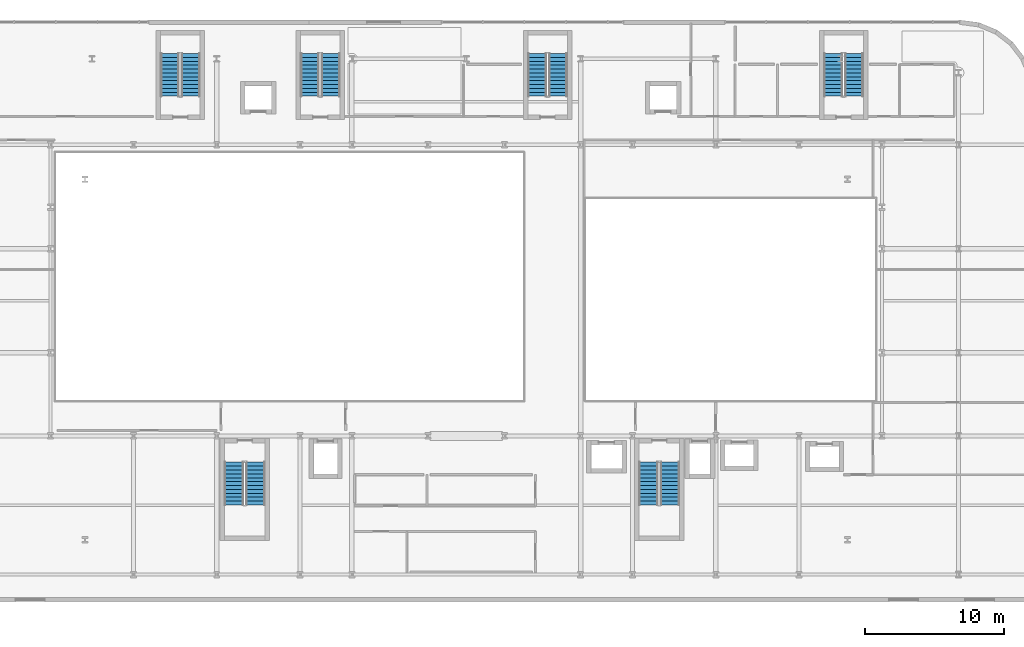
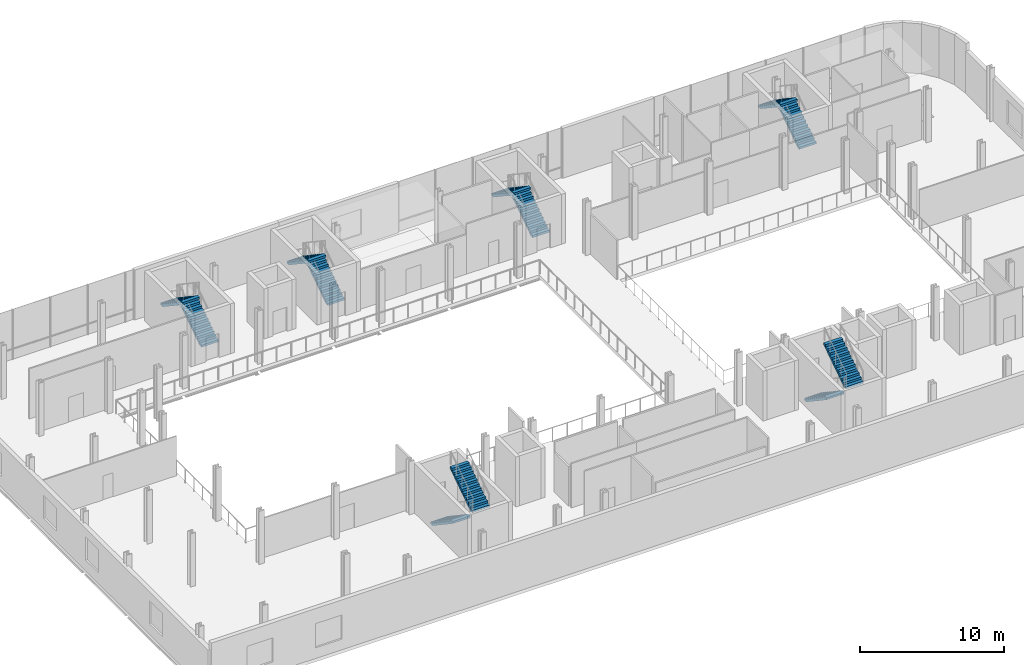
# One storey, part 20 of 25: 12 stair flights, 6 elements without a shape of their own.
"""IFC4 building model written with IfcOpenShell, lengths in metres."""

from ifc_helpers import new_model, si_unit, direction, frame, origin, place, context, subcontext, project, spatial, polyline, outline, extrude, material, layer, layer_set, type_object, element, aggregate, save


model = new_model("IFC4")

# Units and contexts
model_context = context("Model", 3, precision=1e-05, world=origin(), true_north=direction((0.0, 1.0)))
body_context = subcontext(model_context, "Body", "Model", "MODEL_VIEW")
ifc_project = project(units=[si_unit("LENGTHUNIT", "METRE"), si_unit("AREAUNIT", "SQUARE_METRE"), si_unit("VOLUMEUNIT", "CUBIC_METRE"), si_unit("PLANEANGLEUNIT", "RADIAN"), si_unit("MASSUNIT", "GRAM", prefix="KILO")], contexts=[model_context])

# Site, building, storey
site_placement = place(None, origin())
site = spatial("IfcSite", under=ifc_project, at=site_placement, CompositionType="ELEMENT")
building_placement = place(site_placement, origin())
building = spatial("IfcBuilding", under=site, at=building_placement, Name="Brevholm Reach", CompositionType="ELEMENT")
storey_placement = place(building_placement, frame((0.0, 0.0, 9.0)))
storey = spatial("IfcBuildingStorey", under=building, at=storey_placement, Name="L02", CompositionType="ELEMENT", Elevation=9.0)

# Stair, stair flights
ifc_material_1 = material(Name="Precast Concrete C40/50", Category="concrete")
stair_type_1 = type_object("IfcStairType", Name="STR-ESC-1250", PredefinedType="DOUBLE_RETURN_STAIR", material=ifc_material_1)
stair_1_placement = place(storey_placement, origin())
stair_1 = element("IfcStair", 1, at=stair_1_placement, inside=storey, type_object=stair_type_1, Name="L02 ST-S1", PredefinedType="DOUBLE_RETURN_STAIR")
ifc_material_2 = material(Name="Precast Concrete C40/50", Category="concrete")
ifc_layer_1 = layer(ifc_material_2, 0.1650390625)
ifc_layer_set_1 = layer_set([ifc_layer_1], Name="Precast Concrete C40/50")
stair_flight_type_1 = type_object("IfcStairFlightType", Name="STF-PRC-165", PredefinedType="STRAIGHT", material=ifc_layer_set_1)
stair_flight_1_placement = place(storey_placement, frame((10.125, 34.5, 0.0), z_axis=(0.0, 0.0, 1.0), x_axis=(0.0, 1.0, 0.0)))
stair_flight_1 = element("IfcStairFlight", 2, at=stair_flight_1_placement, type_object=stair_flight_type_1, Name="ST-S1 flight 1", NumberOfRisers=12, NumberOfTreads=11, PredefinedType="STRAIGHT", RiserHeight=0.1875, TreadLength=0.28, context=body_context, shape_type="SweptSolid", body=[
    extrude(outline(polyline([(0.0, 0.0), (0.0, 0.1875), (0.280029296875, 0.1875), (0.280029296875, 0.375), (0.56005859375, 0.375), (0.56005859375, 0.5625), (0.840087890625, 0.5625), (0.840087890625, 0.75), (1.1201171875, 0.75), (1.1201171875, 0.9375), (1.39990234375, 0.9375), (1.39990234375, 1.125), (1.679931640625, 1.125), (1.679931640625, 1.3125), (1.9599609375, 1.3125), (1.9599609375, 1.5), (2.239990234375, 1.5), (2.239990234375, 1.6875), (2.52001953125, 1.6875), (2.52001953125, 1.875), (2.800048828125, 1.875), (2.800048828125, 2.0625), (3.080078125, 2.0625), (3.080078125, 2.25), (3.080078125, 1.882080078125), (0.26953125, 0.0), (0.0, 0.0)])), frame((0.0, 0.675048828125, 0.0), z_axis=(0.0, -1.0, 0.0), x_axis=(1.0, 0.0, 0.0)), (0.0, 0.0, 1.0), 1.35009765625),
])
stair_flight_2_placement = place(storey_placement, frame((8.625, 37.580078125, 2.25), z_axis=(0.0, 0.0, 1.0), x_axis=(0.0, -1.0, 0.0)))
stair_flight_2 = element("IfcStairFlight", 3, at=stair_flight_2_placement, type_object=stair_flight_type_1, Name="ST-S1 flight 2", NumberOfRisers=12, NumberOfTreads=11, PredefinedType="STRAIGHT", RiserHeight=0.1875, TreadLength=0.28, context=body_context, shape_type="SweptSolid", body=[
    extrude(outline(polyline([(0.0, 0.0), (0.0, 0.1875), (0.280029296875, 0.1875), (0.280029296875, 0.375), (0.56005859375, 0.375), (0.56005859375, 0.5625), (0.840087890625, 0.5625), (0.840087890625, 0.75), (1.1201171875, 0.75), (1.1201171875, 0.9375), (1.39990234375, 0.9375), (1.39990234375, 1.125), (1.679931640625, 1.125), (1.679931640625, 1.3125), (1.9599609375, 1.3125), (1.9599609375, 1.5), (2.239990234375, 1.5), (2.239990234375, 1.6875), (2.52001953125, 1.6875), (2.52001953125, 1.875), (2.800048828125, 1.875), (2.800048828125, 2.0625), (3.080078125, 2.0625), (3.080078125, 2.25), (3.080078125, 1.882080078125), (0.26953125, 0.0), (0.0, 0.0)])), frame((0.0, 0.675048828125, 0.0), z_axis=(0.0, -1.0, 0.0), x_axis=(1.0, 0.0, 0.0)), (0.0, 0.0, 1.0), 1.35009765625),
])
aggregate(stair_1, [stair_flight_1, stair_flight_2])

stair_2_placement = place(storey_placement, origin())
stair_2 = element("IfcStair", 4, at=stair_2_placement, inside=storey, type_object=stair_type_1, Name="L02 ST-S2", PredefinedType="DOUBLE_RETURN_STAIR")
stair_flight_3_placement = place(storey_placement, frame((20.22509765625, 34.5, 0.0), z_axis=(0.0, 0.0, 1.0), x_axis=(0.0, 1.0, 0.0)))
stair_flight_3 = element("IfcStairFlight", 5, at=stair_flight_3_placement, type_object=stair_flight_type_1, Name="ST-S2 flight 1", NumberOfRisers=12, NumberOfTreads=11, PredefinedType="STRAIGHT", RiserHeight=0.1875, TreadLength=0.28, context=body_context, shape_type="SweptSolid", body=[
    extrude(outline(polyline([(0.0, 0.0), (0.0, 0.1875), (0.280029296875, 0.1875), (0.280029296875, 0.375), (0.56005859375, 0.375), (0.56005859375, 0.5625), (0.840087890625, 0.5625), (0.840087890625, 0.75), (1.1201171875, 0.75), (1.1201171875, 0.9375), (1.39990234375, 0.9375), (1.39990234375, 1.125), (1.679931640625, 1.125), (1.679931640625, 1.3125), (1.9599609375, 1.3125), (1.9599609375, 1.5), (2.239990234375, 1.5), (2.239990234375, 1.6875), (2.52001953125, 1.6875), (2.52001953125, 1.875), (2.800048828125, 1.875), (2.800048828125, 2.0625), (3.080078125, 2.0625), (3.080078125, 2.25), (3.080078125, 1.882080078125), (0.26953125, 0.0), (0.0, 0.0)])), frame((0.0, 0.675048828125, 0.0), z_axis=(0.0, -1.0, 0.0), x_axis=(1.0, 0.0, 0.0)), (0.0, 0.0, 1.0), 1.35009765625),
])
stair_flight_4_placement = place(storey_placement, frame((18.72509765625, 37.580078125, 2.25), z_axis=(0.0, 0.0, 1.0), x_axis=(0.0, -1.0, 0.0)))
stair_flight_4 = element("IfcStairFlight", 6, at=stair_flight_4_placement, type_object=stair_flight_type_1, Name="ST-S2 flight 2", NumberOfRisers=12, NumberOfTreads=11, PredefinedType="STRAIGHT", RiserHeight=0.1875, TreadLength=0.28, context=body_context, shape_type="SweptSolid", body=[
    extrude(outline(polyline([(0.0, 0.0), (0.0, 0.1875), (0.280029296875, 0.1875), (0.280029296875, 0.375), (0.56005859375, 0.375), (0.56005859375, 0.5625), (0.840087890625, 0.5625), (0.840087890625, 0.75), (1.1201171875, 0.75), (1.1201171875, 0.9375), (1.39990234375, 0.9375), (1.39990234375, 1.125), (1.679931640625, 1.125), (1.679931640625, 1.3125), (1.9599609375, 1.3125), (1.9599609375, 1.5), (2.239990234375, 1.5), (2.239990234375, 1.6875), (2.52001953125, 1.6875), (2.52001953125, 1.875), (2.800048828125, 1.875), (2.800048828125, 2.0625), (3.080078125, 2.0625), (3.080078125, 2.25), (3.080078125, 1.882080078125), (0.26953125, 0.0), (0.0, 0.0)])), frame((0.0, 0.675048828125, 0.0), z_axis=(0.0, -1.0, 0.0), x_axis=(1.0, 0.0, 0.0)), (0.0, 0.0, 1.0), 1.35009765625),
])
aggregate(stair_2, [stair_flight_3, stair_flight_4])

stair_3_placement = place(storey_placement, origin())
stair_3 = element("IfcStair", 7, at=stair_3_placement, inside=storey, type_object=stair_type_1, Name="L02 ST-S3", PredefinedType="DOUBLE_RETURN_STAIR")
stair_flight_5_placement = place(storey_placement, frame((36.625, 34.5, 0.0), z_axis=(0.0, 0.0, 1.0), x_axis=(0.0, 1.0, 0.0)))
stair_flight_5 = element("IfcStairFlight", 8, at=stair_flight_5_placement, type_object=stair_flight_type_1, Name="ST-S3 flight 1", NumberOfRisers=12, NumberOfTreads=11, PredefinedType="STRAIGHT", RiserHeight=0.1875, TreadLength=0.28, context=body_context, shape_type="SweptSolid", body=[
    extrude(outline(polyline([(0.0, 0.0), (0.0, 0.1875), (0.280029296875, 0.1875), (0.280029296875, 0.375), (0.56005859375, 0.375), (0.56005859375, 0.5625), (0.840087890625, 0.5625), (0.840087890625, 0.75), (1.1201171875, 0.75), (1.1201171875, 0.9375), (1.39990234375, 0.9375), (1.39990234375, 1.125), (1.679931640625, 1.125), (1.679931640625, 1.3125), (1.9599609375, 1.3125), (1.9599609375, 1.5), (2.239990234375, 1.5), (2.239990234375, 1.6875), (2.52001953125, 1.6875), (2.52001953125, 1.875), (2.800048828125, 1.875), (2.800048828125, 2.0625), (3.080078125, 2.0625), (3.080078125, 2.25), (3.080078125, 1.882080078125), (0.26953125, 0.0), (0.0, 0.0)])), frame((0.0, 0.675048828125, 0.0), z_axis=(0.0, -1.0, 0.0), x_axis=(1.0, 0.0, 0.0)), (0.0, 0.0, 1.0), 1.35009765625),
])
stair_flight_6_placement = place(storey_placement, frame((35.125, 37.580078125, 2.25), z_axis=(0.0, 0.0, 1.0), x_axis=(0.0, -1.0, 0.0)))
stair_flight_6 = element("IfcStairFlight", 9, at=stair_flight_6_placement, type_object=stair_flight_type_1, Name="ST-S3 flight 2", NumberOfRisers=12, NumberOfTreads=11, PredefinedType="STRAIGHT", RiserHeight=0.1875, TreadLength=0.28, context=body_context, shape_type="SweptSolid", body=[
    extrude(outline(polyline([(0.0, 0.0), (0.0, 0.1875), (0.280029296875, 0.1875), (0.280029296875, 0.375), (0.56005859375, 0.375), (0.56005859375, 0.5625), (0.840087890625, 0.5625), (0.840087890625, 0.75), (1.1201171875, 0.75), (1.1201171875, 0.9375), (1.39990234375, 0.9375), (1.39990234375, 1.125), (1.679931640625, 1.125), (1.679931640625, 1.3125), (1.9599609375, 1.3125), (1.9599609375, 1.5), (2.239990234375, 1.5), (2.239990234375, 1.6875), (2.52001953125, 1.6875), (2.52001953125, 1.875), (2.800048828125, 1.875), (2.800048828125, 2.0625), (3.080078125, 2.0625), (3.080078125, 2.25), (3.080078125, 1.882080078125), (0.26953125, 0.0), (0.0, 0.0)])), frame((0.0, 0.675048828125, 0.0), z_axis=(0.0, -1.0, 0.0), x_axis=(1.0, 0.0, 0.0)), (0.0, 0.0, 1.0), 1.35009765625),
])
aggregate(stair_3, [stair_flight_5, stair_flight_6])

stair_4_placement = place(storey_placement, origin())
stair_4 = element("IfcStair", 10, at=stair_4_placement, inside=storey, type_object=stair_type_1, Name="L02 ST-S4", PredefinedType="DOUBLE_RETURN_STAIR")
stair_flight_7_placement = place(storey_placement, frame((57.97509765625, 34.5, 0.0), z_axis=(0.0, 0.0, 1.0), x_axis=(0.0, 1.0, 0.0)))
stair_flight_7 = element("IfcStairFlight", 11, at=stair_flight_7_placement, type_object=stair_flight_type_1, Name="ST-S4 flight 1", NumberOfRisers=12, NumberOfTreads=11, PredefinedType="STRAIGHT", RiserHeight=0.1875, TreadLength=0.28, context=body_context, shape_type="SweptSolid", body=[
    extrude(outline(polyline([(0.0, 0.0), (0.0, 0.1875), (0.280029296875, 0.1875), (0.280029296875, 0.375), (0.56005859375, 0.375), (0.56005859375, 0.5625), (0.840087890625, 0.5625), (0.840087890625, 0.75), (1.1201171875, 0.75), (1.1201171875, 0.9375), (1.39990234375, 0.9375), (1.39990234375, 1.125), (1.679931640625, 1.125), (1.679931640625, 1.3125), (1.9599609375, 1.3125), (1.9599609375, 1.5), (2.239990234375, 1.5), (2.239990234375, 1.6875), (2.52001953125, 1.6875), (2.52001953125, 1.875), (2.800048828125, 1.875), (2.800048828125, 2.0625), (3.080078125, 2.0625), (3.080078125, 2.25), (3.080078125, 1.882080078125), (0.26953125, 0.0), (0.0, 0.0)])), frame((0.0, 0.675048828125, 0.0), z_axis=(0.0, -1.0, 0.0), x_axis=(1.0, 0.0, 0.0)), (0.0, 0.0, 1.0), 1.35009765625),
])
stair_flight_8_placement = place(storey_placement, frame((56.47509765625, 37.580078125, 2.25), z_axis=(0.0, 0.0, 1.0), x_axis=(0.0, -1.0, 0.0)))
stair_flight_8 = element("IfcStairFlight", 12, at=stair_flight_8_placement, type_object=stair_flight_type_1, Name="ST-S4 flight 2", NumberOfRisers=12, NumberOfTreads=11, PredefinedType="STRAIGHT", RiserHeight=0.1875, TreadLength=0.28, context=body_context, shape_type="SweptSolid", body=[
    extrude(outline(polyline([(0.0, 0.0), (0.0, 0.1875), (0.280029296875, 0.1875), (0.280029296875, 0.375), (0.56005859375, 0.375), (0.56005859375, 0.5625), (0.840087890625, 0.5625), (0.840087890625, 0.75), (1.1201171875, 0.75), (1.1201171875, 0.9375), (1.39990234375, 0.9375), (1.39990234375, 1.125), (1.679931640625, 1.125), (1.679931640625, 1.3125), (1.9599609375, 1.3125), (1.9599609375, 1.5), (2.239990234375, 1.5), (2.239990234375, 1.6875), (2.52001953125, 1.6875), (2.52001953125, 1.875), (2.800048828125, 1.875), (2.800048828125, 2.0625), (3.080078125, 2.0625), (3.080078125, 2.25), (3.080078125, 1.882080078125), (0.26953125, 0.0), (0.0, 0.0)])), frame((0.0, 0.675048828125, 0.0), z_axis=(0.0, -1.0, 0.0), x_axis=(1.0, 0.0, 0.0)), (0.0, 0.0, 1.0), 1.35009765625),
])
aggregate(stair_4, [stair_flight_7, stair_flight_8])

ifc_material_3 = material(Name="Precast Concrete C40/50", Category="concrete")
stair_type_2 = type_object("IfcStairType", Name="STR-ESC-1400", PredefinedType="DOUBLE_RETURN_STAIR", material=ifc_material_3)
stair_5_placement = place(storey_placement, origin())
stair_5 = element("IfcStair", 13, at=stair_5_placement, inside=storey, type_object=stair_type_2, Name="L02 ST-1", PredefinedType="DOUBLE_RETURN_STAIR")
ifc_material_4 = material(Name="Precast Concrete C40/50", Category="concrete")
ifc_layer_2 = layer(ifc_material_4, 0.18505859375)
ifc_layer_set_2 = layer_set([ifc_layer_2], Name="Precast Concrete C40/50")
stair_flight_type_2 = type_object("IfcStairFlightType", Name="STF-PRC-185", PredefinedType="STRAIGHT", material=ifc_layer_set_2)
stair_flight_9_placement = place(storey_placement, frame((13.25, 8.10009765625, 0.0), z_axis=(0.0, 0.0, 1.0), x_axis=(0.0, -1.0, 0.0)))
stair_flight_9 = element("IfcStairFlight", 14, at=stair_flight_9_placement, type_object=stair_flight_type_2, Name="ST-1 flight 1", NumberOfRisers=12, NumberOfTreads=11, PredefinedType="STRAIGHT", RiserHeight=0.1875, TreadLength=0.28, context=body_context, shape_type="SweptSolid", body=[
    extrude(outline(polyline([(0.0, 0.0), (0.0, 0.1875), (0.280029296875, 0.1875), (0.280029296875, 0.375), (0.56005859375, 0.375), (0.56005859375, 0.5625), (0.840087890625, 0.5625), (0.840087890625, 0.75), (1.1201171875, 0.75), (1.1201171875, 0.9375), (1.39990234375, 0.9375), (1.39990234375, 1.125), (1.679931640625, 1.125), (1.679931640625, 1.3125), (1.9599609375, 1.3125), (1.9599609375, 1.5), (2.239990234375, 1.5), (2.239990234375, 1.6875), (2.52001953125, 1.6875), (2.52001953125, 1.875), (2.800048828125, 1.875), (2.800048828125, 2.0625), (3.080078125, 2.0625), (3.080078125, 2.25), (3.080078125, 1.882080078125), (0.26953125, 0.0), (0.0, 0.0)])), frame((0.0, 0.699951171875, 0.0), z_axis=(0.0, -1.0, 0.0), x_axis=(1.0, 0.0, 0.0)), (0.0, 0.0, 1.0), 1.39990234375),
])
stair_flight_10_placement = place(storey_placement, frame((14.800048828125, 5.02001953125, 2.25), z_axis=(0.0, 0.0, 1.0), x_axis=(0.0, 1.0, 0.0)))
stair_flight_10 = element("IfcStairFlight", 15, at=stair_flight_10_placement, type_object=stair_flight_type_2, Name="ST-1 flight 2", NumberOfRisers=12, NumberOfTreads=11, PredefinedType="STRAIGHT", RiserHeight=0.1875, TreadLength=0.28, context=body_context, shape_type="SweptSolid", body=[
    extrude(outline(polyline([(0.0, 0.0), (0.0, 0.1875), (0.280029296875, 0.1875), (0.280029296875, 0.375), (0.56005859375, 0.375), (0.56005859375, 0.5625), (0.840087890625, 0.5625), (0.840087890625, 0.75), (1.1201171875, 0.75), (1.1201171875, 0.9375), (1.39990234375, 0.9375), (1.39990234375, 1.125), (1.679931640625, 1.125), (1.679931640625, 1.3125), (1.9599609375, 1.3125), (1.9599609375, 1.5), (2.239990234375, 1.5), (2.239990234375, 1.6875), (2.52001953125, 1.6875), (2.52001953125, 1.875), (2.800048828125, 1.875), (2.800048828125, 2.0625), (3.080078125, 2.0625), (3.080078125, 2.25), (3.080078125, 1.882080078125), (0.26953125, 0.0), (0.0, 0.0)])), frame((0.0, 0.699951171875, 0.0), z_axis=(0.0, -1.0, 0.0), x_axis=(1.0, 0.0, 0.0)), (0.0, 0.0, 1.0), 1.39990234375),
])
aggregate(stair_5, [stair_flight_9, stair_flight_10])

stair_6_placement = place(storey_placement, origin())
stair_6 = element("IfcStair", 16, at=stair_6_placement, inside=storey, type_object=stair_type_2, Name="L02 ST-2", PredefinedType="DOUBLE_RETURN_STAIR")
stair_flight_11_placement = place(storey_placement, frame((43.14990234375, 8.10009765625, 0.0), z_axis=(0.0, 0.0, 1.0), x_axis=(0.0, -1.0, 0.0)))
stair_flight_11 = element("IfcStairFlight", 17, at=stair_flight_11_placement, type_object=stair_flight_type_2, Name="ST-2 flight 1", NumberOfRisers=12, NumberOfTreads=11, PredefinedType="STRAIGHT", RiserHeight=0.1875, TreadLength=0.28, context=body_context, shape_type="SweptSolid", body=[
    extrude(outline(polyline([(0.0, 0.0), (0.0, 0.1875), (0.280029296875, 0.1875), (0.280029296875, 0.375), (0.56005859375, 0.375), (0.56005859375, 0.5625), (0.840087890625, 0.5625), (0.840087890625, 0.75), (1.1201171875, 0.75), (1.1201171875, 0.9375), (1.39990234375, 0.9375), (1.39990234375, 1.125), (1.679931640625, 1.125), (1.679931640625, 1.3125), (1.9599609375, 1.3125), (1.9599609375, 1.5), (2.239990234375, 1.5), (2.239990234375, 1.6875), (2.52001953125, 1.6875), (2.52001953125, 1.875), (2.800048828125, 1.875), (2.800048828125, 2.0625), (3.080078125, 2.0625), (3.080078125, 2.25), (3.080078125, 1.882080078125), (0.26953125, 0.0), (0.0, 0.0)])), frame((0.0, 0.699951171875, 0.0), z_axis=(0.0, -1.0, 0.0), x_axis=(1.0, 0.0, 0.0)), (0.0, 0.0, 1.0), 1.39990234375),
])
stair_flight_12_placement = place(storey_placement, frame((44.699951171875, 5.02001953125, 2.25), z_axis=(0.0, 0.0, 1.0), x_axis=(0.0, 1.0, 0.0)))
stair_flight_12 = element("IfcStairFlight", 18, at=stair_flight_12_placement, type_object=stair_flight_type_2, Name="ST-2 flight 2", NumberOfRisers=12, NumberOfTreads=11, PredefinedType="STRAIGHT", RiserHeight=0.1875, TreadLength=0.28, context=body_context, shape_type="SweptSolid", body=[
    extrude(outline(polyline([(0.0, 0.0), (0.0, 0.1875), (0.280029296875, 0.1875), (0.280029296875, 0.375), (0.56005859375, 0.375), (0.56005859375, 0.5625), (0.840087890625, 0.5625), (0.840087890625, 0.75), (1.1201171875, 0.75), (1.1201171875, 0.9375), (1.39990234375, 0.9375), (1.39990234375, 1.125), (1.679931640625, 1.125), (1.679931640625, 1.3125), (1.9599609375, 1.3125), (1.9599609375, 1.5), (2.239990234375, 1.5), (2.239990234375, 1.6875), (2.52001953125, 1.6875), (2.52001953125, 1.875), (2.800048828125, 1.875), (2.800048828125, 2.0625), (3.080078125, 2.0625), (3.080078125, 2.25), (3.080078125, 1.882080078125), (0.26953125, 0.0), (0.0, 0.0)])), frame((0.0, 0.699951171875, 0.0), z_axis=(0.0, -1.0, 0.0), x_axis=(1.0, 0.0, 0.0)), (0.0, 0.0, 1.0), 1.39990234375),
])
aggregate(stair_6, [stair_flight_11, stair_flight_12])

save(model, "model.ifc")
